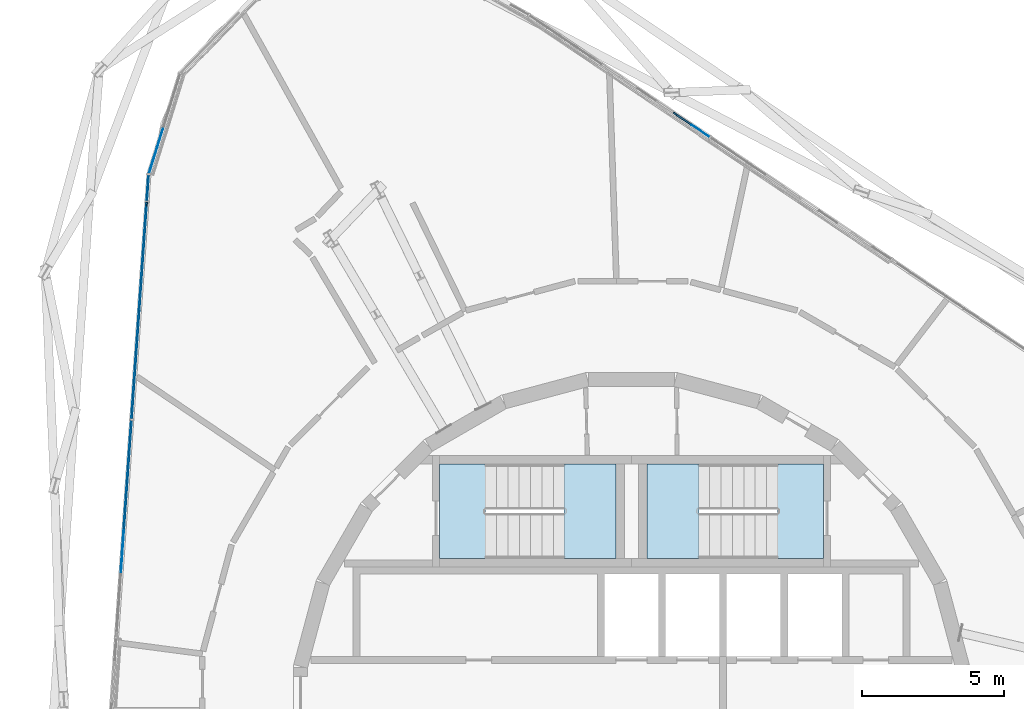
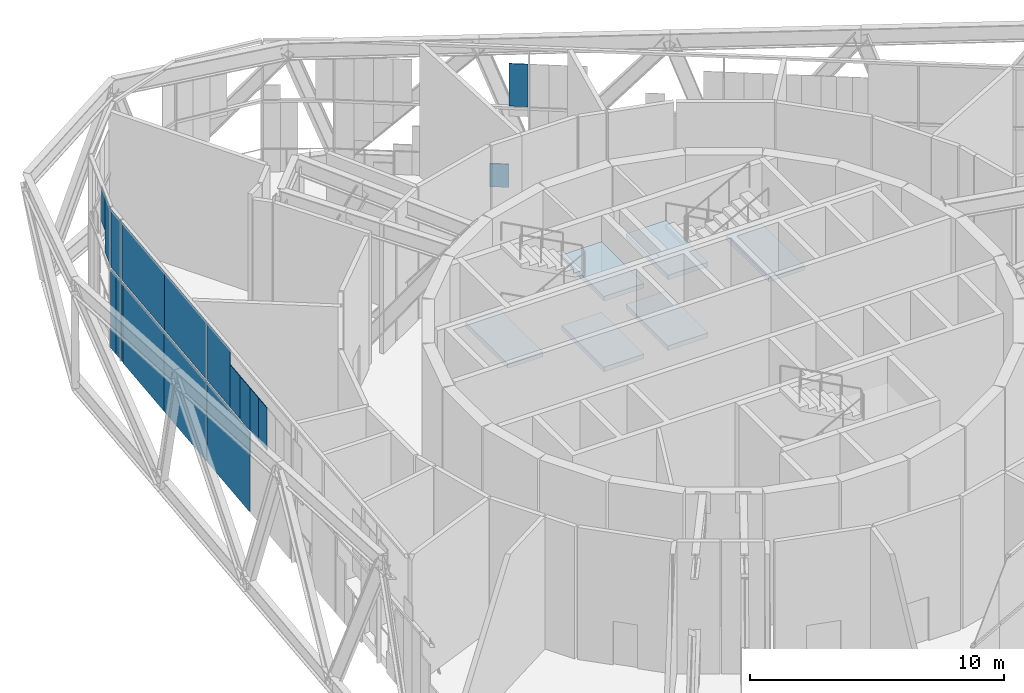
# One storey, part 13 of 24: 18 plates, 6 slabs, 5 elements without a shape of their own.
"""IFC4 building model written with IfcOpenShell, lengths in metres."""

from ifc_helpers import new_model, si_unit, direction, frame, origin, origin_2d, place, context, subcontext, project, spatial, polyline, rectangle, outline, extrude, material, layer, layer_set, type_object, element, aggregate, save


model = new_model("IFC4")

# Units and contexts
model_context = context("Model", 3, precision=1e-05, world=origin(), true_north=direction((0.0, 1.0)))
body_context = subcontext(model_context, "Body", "Model", "MODEL_VIEW")
ifc_project = project(units=[si_unit("LENGTHUNIT", "METRE"), si_unit("AREAUNIT", "SQUARE_METRE"), si_unit("VOLUMEUNIT", "CUBIC_METRE"), si_unit("PLANEANGLEUNIT", "RADIAN"), si_unit("MASSUNIT", "GRAM", prefix="KILO")], contexts=[model_context])

# Site, building, storey
site_placement = place(None, origin())
site = spatial("IfcSite", under=ifc_project, at=site_placement, CompositionType="ELEMENT")
building_placement = place(site_placement, origin())
building = spatial("IfcBuilding", under=site, at=building_placement, Name="Spindle Arch Residences", CompositionType="ELEMENT")
storey_placement = place(building_placement, frame((0.0, 0.0, 219.89990234375)))
storey = spatial("IfcBuildingStorey", under=building, at=storey_placement, Name="L56", CompositionType="ELEMENT", Elevation=219.89990234375)

# Stair, slabs
ifc_material_1 = material(Name="Concrete C50/60", Category="concrete")
stair_type = type_object("IfcStairType", Name="Exit stair 32 risers", PredefinedType="HALF_TURN_STAIR", material=ifc_material_1)
stair_1_placement = place(storey_placement, origin())
stair_1 = element("IfcStair", 1, at=stair_1_placement, inside=storey, type_object=stair_type, Name="L56 Exit stair ST1", PredefinedType="HALF_TURN_STAIR")
ifc_material_2 = material(Name="Concrete C50/60", Category="concrete")
ifc_layer_1 = layer(ifc_material_2, 0.219970703125)
ifc_layer_set_1 = layer_set([ifc_layer_1], Name="Exit stair landing 220")
slab_type = type_object("IfcSlabType", Name="Exit stair landing 220", PredefinedType="LANDING", material=ifc_layer_set_1)
slab_1_placement = place(storey_placement, frame((0.0, 0.0, 1.47998046875)))
slab_1 = element("IfcSlab", 2, at=slab_1_placement, type_object=slab_type, Name="ST1 landing 1", PredefinedType="LANDING", context=body_context, shape_type="SweptSolid", body=[
    extrude(outline(polyline([(2.3701171875, 8.669921875), (0.550048828125, 8.669921875), (0.550048828125, 5.35009765625), (2.3701171875, 5.35009765625), (2.3701171875, 8.669921875)])), origin(), (0.0, 0.0, 1.0), 0.22021484375),
])
slab_2_placement = place(storey_placement, frame((0.0, 0.0, 3.18017578125)))
slab_2 = element("IfcSlab", 3, at=slab_2_placement, type_object=slab_type, Name="ST1 landing 2", PredefinedType="LANDING", context=body_context, shape_type="SweptSolid", body=[
    extrude(outline(polyline([(6.75, 8.669921875), (5.1298828125, 8.669921875), (5.1298828125, 5.35009765625), (6.75, 5.35009765625), (6.75, 8.669921875)])), origin(), (0.0, 0.0, 1.0), 0.219970703125),
])
slab_3_placement = place(storey_placement, frame((0.0, 0.0, 4.880126953125)))
slab_3 = element("IfcSlab", 4, at=slab_3_placement, type_object=slab_type, Name="ST1 landing 3", PredefinedType="LANDING", context=body_context, shape_type="SweptSolid", body=[
    extrude(outline(polyline([(2.3701171875, 8.669921875), (0.550048828125, 8.669921875), (0.550048828125, 5.35009765625), (2.3701171875, 5.35009765625), (2.3701171875, 8.669921875)])), origin(), (0.0, 0.0, 1.0), 0.219970703125),
])
aggregate(stair_1, [slab_1, slab_2, slab_3])

stair_2_placement = place(storey_placement, origin())
stair_2 = element("IfcStair", 5, at=stair_2_placement, inside=storey, type_object=stair_type, Name="L56 Exit stair ST2", PredefinedType="HALF_TURN_STAIR")
slab_4_placement = place(storey_placement, frame((0.0, 0.0, 1.47998046875)))
slab_4 = element("IfcSlab", 6, at=slab_4_placement, type_object=slab_type, Name="ST2 landing 1", PredefinedType="LANDING", context=body_context, shape_type="SweptSolid", body=[
    extrude(outline(polyline([(-2.3701171875, 5.35009765625), (-0.550048828125, 5.35009765625), (-0.550048828125, 8.669921875), (-2.3701171875, 8.669921875), (-2.3701171875, 5.35009765625)])), origin(), (0.0, 0.0, 1.0), 0.22021484375),
])
slab_5_placement = place(storey_placement, frame((0.0, 0.0, 3.18017578125)))
slab_5 = element("IfcSlab", 7, at=slab_5_placement, type_object=slab_type, Name="ST2 landing 2", PredefinedType="LANDING", context=body_context, shape_type="SweptSolid", body=[
    extrude(outline(polyline([(-6.75, 5.35009765625), (-5.1298828125, 5.35009765625), (-5.1298828125, 8.669921875), (-6.75, 8.669921875), (-6.75, 5.35009765625)])), origin(), (0.0, 0.0, 1.0), 0.219970703125),
])
slab_6_placement = place(storey_placement, frame((0.0, 0.0, 4.880126953125)))
slab_6 = element("IfcSlab", 8, at=slab_6_placement, type_object=slab_type, Name="ST2 landing 3", PredefinedType="LANDING", context=body_context, shape_type="SweptSolid", body=[
    extrude(outline(polyline([(-2.3701171875, 5.35009765625), (-0.550048828125, 5.35009765625), (-0.550048828125, 8.669921875), (-2.3701171875, 8.669921875), (-2.3701171875, 5.35009765625)])), origin(), (0.0, 0.0, 1.0), 0.219970703125),
])
aggregate(stair_2, [slab_4, slab_5, slab_6])

# Curtain wall, plate
ifc_material_3 = material(Name="Aluminium bronze unitised frame with tinted glass", Category="aluminium")
ifc_layer_2 = layer(ifc_material_3, 0.159912109375)
ifc_layer_set_2 = layer_set([ifc_layer_2], Name="CW-E double-height winter garden wall")
curtain_wall_type = type_object("IfcCurtainWallType", Name="CW-E double-height winter garden wall", PredefinedType="NOTDEFINED", material=ifc_layer_set_2)
curtain_wall_1_placement = place(storey_placement, origin())
curtain_wall_1 = element("IfcCurtainWall", 9, at=curtain_wall_1_placement, inside=storey, type_object=curtain_wall_type, Name="CW-E L56 run 2", PredefinedType="NOTDEFINED")
ifc_material_4 = material(Name="Tinted laminated glass 28 mm", Category="glass")
ifc_layer_3 = layer(ifc_material_4, 0.028076171875)
ifc_layer_set_3 = layer_set([ifc_layer_3], Name="Tinted glass panel 28 mm")
plate_type_1 = type_object("IfcPlateType", Name="Tinted glass panel 28 mm", PredefinedType="CURTAIN_PANEL", material=ifc_layer_set_3)
plate_1_placement = place(storey_placement, frame((2.428466796875, 20.388427734375, 3.460205078125), z_axis=(0.0, 0.0, 1.0), x_axis=(-0.829037572555, 0.559192903471, 0.0)))
plate_1 = element("IfcPlate", 10, at=plate_1_placement, type_object=plate_type_1, Name="CW-E panel 08Ab.1", PredefinedType="CURTAIN_PANEL", context=body_context, shape_type="SweptSolid", body=[
    extrude(rectangle(XDim=0.763427734375, YDim=0.028076171875, at=origin_2d()), origin(), (0.0, 0.0, 1.0), 2.0458984375),
])

# Curtain wall, plates
curtain_wall_2_placement = place(storey_placement, origin())
curtain_wall_2 = element("IfcCurtainWall", 11, at=curtain_wall_2_placement, inside=storey, type_object=curtain_wall_type, Name="CW-E L56 run 3", PredefinedType="NOTDEFINED")
plate_2_placement = place(storey_placement, frame((-16.5888671875, 20.1376953125, 4.503662109375), z_axis=(0.0, 0.0, 1.0), x_axis=(-0.297930275218, -0.954587634064, 0.0)))
plate_2 = element("IfcPlate", 12, at=plate_2_placement, type_object=plate_type_1, Name="CW-E panel 04b.4", PredefinedType="CURTAIN_PANEL", context=body_context, shape_type="SweptSolid", body=[
    extrude(rectangle(XDim=0.675048828125, YDim=0.028076171875, at=origin_2d()), origin(), (0.0, 0.0, 1.0), 1.7265625),
])
plate_3_placement = place(storey_placement, frame((-16.833251953125, 19.354248046875, 3.460205078125), z_axis=(0.0, 0.0, 1.0), x_axis=(-0.297930275218, -0.954587634064, 0.0)))
plate_3 = element("IfcPlate", 13, at=plate_3_placement, type_object=plate_type_1, Name="CW-E panel 04b.5", PredefinedType="CURTAIN_PANEL", context=body_context, shape_type="SweptSolid", body=[
    extrude(rectangle(XDim=0.96630859375, YDim=0.028076171875, at=origin_2d()), origin(), (0.0, 0.0, 1.0), 2.77001953125),
])
plate_4_placement = place(storey_placement, frame((-17.019775390625, 18.3837890625, 3.460205078125), z_axis=(0.0, 0.0, 1.0), x_axis=(-0.069756473744, -0.99756405026, 0.0)))
plate_4 = element("IfcPlate", 14, at=plate_4_placement, type_object=plate_type_1, Name="CW-E unit 05b", PredefinedType="CURTAIN_PANEL", context=body_context, shape_type="SweptSolid", body=[
    extrude(rectangle(XDim=0.90380859375, YDim=0.028076171875, at=origin_2d()), origin(), (0.0, 0.0, 1.0), 2.77001953125),
])

curtain_wall_3_placement = place(storey_placement, origin())
curtain_wall_3 = element("IfcCurtainWall", 15, at=curtain_wall_3_placement, inside=storey, type_object=curtain_wall_type, Name="CW-E L56 run 4", PredefinedType="NOTDEFINED")
plate_5_placement = place(storey_placement, frame((-17.188720703125, 15.96923828125, 3.460205078125), z_axis=(0.0, 0.0, 1.0), x_axis=(-0.069756473744, -0.99756405026, 0.0)))
plate_5 = element("IfcPlate", 16, at=plate_5_placement, type_object=plate_type_1, Name="CW-E unit 12Ab", PredefinedType="CURTAIN_PANEL", context=body_context, shape_type="SweptSolid", body=[
    extrude(rectangle(XDim=3.81689453125, YDim=0.028076171875, at=origin_2d()), origin(), (0.0, 0.0, 1.0), 2.77001953125),
])
plate_6_placement = place(storey_placement, frame((-17.454833984375, 12.16162109375, 3.460205078125), z_axis=(0.0, 0.0, 1.0), x_axis=(-0.069756473744, -0.99756405026, 0.0)))
plate_6 = element("IfcPlate", 17, at=plate_6_placement, type_object=plate_type_1, Name="CW-E unit 12Bb", PredefinedType="CURTAIN_PANEL", context=body_context, shape_type="SweptSolid", body=[
    extrude(rectangle(XDim=3.81689453125, YDim=0.028076171875, at=origin_2d()), origin(), (0.0, 0.0, 1.0), 2.77001953125),
])
plate_7_placement = place(storey_placement, frame((-17.663330078125, 9.181884765625, 3.460205078125), z_axis=(0.0, 0.0, 1.0), x_axis=(-0.069756473744, -0.99756405026, 0.0)))
plate_7 = element("IfcPlate", 18, at=plate_7_placement, type_object=plate_type_1, Name="CW-E panel 13Ab.1", PredefinedType="CURTAIN_PANEL", context=body_context, shape_type="SweptSolid", body=[
    extrude(rectangle(XDim=2.037109375, YDim=0.028076171875, at=origin_2d()), origin(), (0.0, 0.0, 1.0), 2.77001953125),
])
plate_8_placement = place(storey_placement, frame((-17.765380859375, 7.72216796875, 3.460205078125), z_axis=(0.0, 0.0, 1.0), x_axis=(-0.069756473744, -0.99756405026, 0.0)))
plate_8 = element("IfcPlate", 19, at=plate_8_placement, type_object=plate_type_1, Name="CW-E panel 13Ab.2", PredefinedType="CURTAIN_PANEL", context=body_context, shape_type="SweptSolid", body=[
    extrude(rectangle(XDim=0.889892578125, YDim=0.028076171875, at=origin_2d()), origin(), (0.0, 0.0, 1.0), 2.0458984375),
])
plate_9_placement = place(storey_placement, frame((-17.827392578125, 6.834228515625, 3.460205078125), z_axis=(0.0, 0.0, 1.0), x_axis=(-0.069756473744, -0.99756405026, 0.0)))
plate_9 = element("IfcPlate", 20, at=plate_9_placement, type_object=plate_type_1, Name="CW-E panel 13Ab.3", PredefinedType="CURTAIN_PANEL", context=body_context, shape_type="SweptSolid", body=[
    extrude(rectangle(XDim=0.889892578125, YDim=0.028076171875, at=origin_2d()), origin(), (0.0, 0.0, 1.0), 2.0458984375),
])
plate_10_placement = place(storey_placement, frame((-17.885009765625, 6.009765625, 3.460205078125), z_axis=(0.0, 0.0, 1.0), x_axis=(-0.069756473744, -0.99756405026, 0.0)))
plate_10 = element("IfcPlate", 21, at=plate_10_placement, type_object=plate_type_1, Name="CW-E panel 13Bb.1", PredefinedType="CURTAIN_PANEL", context=body_context, shape_type="SweptSolid", body=[
    extrude(rectangle(XDim=0.763427734375, YDim=0.028076171875, at=origin_2d()), origin(), (0.0, 0.0, 1.0), 2.0458984375),
])
plate_11_placement = place(storey_placement, frame((-17.9384765625, 5.248291015625, 3.460205078125), z_axis=(0.0, 0.0, 1.0), x_axis=(-0.069756473744, -0.99756405026, 0.0)))
plate_11 = element("IfcPlate", 22, at=plate_11_placement, type_object=plate_type_1, Name="CW-E panel 13Bb.2", PredefinedType="CURTAIN_PANEL", context=body_context, shape_type="SweptSolid", body=[
    extrude(rectangle(XDim=0.763427734375, YDim=0.028076171875, at=origin_2d()), origin(), (0.0, 0.0, 1.0), 2.0458984375),
])

# Plate
ifc_material_5 = material(Name="Tinted double glazing over aluminium faced non-combustible spandrel zone (K0)", Category="aluminium")
ifc_layer_4 = layer(ifc_material_5, 0.06005859375)
ifc_layer_set_4 = layer_set([ifc_layer_4], Name="Unitised glass panel with E 60 spandrel zone")
plate_type_2 = type_object("IfcPlateType", Name="Unitised glass panel with E 60 spandrel zone", PredefinedType="CURTAIN_PANEL", material=ifc_layer_set_4)
plate_12_placement = place(storey_placement, frame((1.795654296875, 20.815185546875, -0.44970703125), z_axis=(0.0, 0.0, 1.0), x_axis=(-0.829037572555, 0.559192903471, 0.0)))
plate_12 = element("IfcPlate", 23, at=plate_12_placement, type_object=plate_type_2, Name="CW-E panel 08Aa.2", PredefinedType="CURTAIN_PANEL", context=body_context, shape_type="SweptSolid", body=[
    extrude(rectangle(XDim=0.763427734375, YDim=0.06005859375, at=origin_2d()), origin(), (0.0, 0.0, 1.0), 1.113525390625),
])

aggregate(curtain_wall_1, [plate_12, plate_1])

plate_13_placement = place(storey_placement, frame((-17.004150390625, 18.609130859375, -0.419921875), z_axis=(0.0, 0.0, 1.0), x_axis=(-0.069756473744, -0.99756405026, 0.0)))
plate_13 = element("IfcPlate", 24, at=plate_13_placement, type_object=plate_type_2, Name="CW-E panel 05a.1", PredefinedType="CURTAIN_PANEL", context=body_context, shape_type="SweptSolid", body=[
    extrude(rectangle(XDim=0.451904296875, YDim=0.06005859375, at=origin_2d()), origin(), (0.0, 0.0, 1.0), 3.760009765625),
])

plate_14_placement = place(storey_placement, frame((-17.03564453125, 18.158203125, -0.419921875), z_axis=(0.0, 0.0, 1.0), x_axis=(-0.069756473744, -0.99756405026, 0.0)))
plate_14 = element("IfcPlate", 25, at=plate_14_placement, type_object=plate_type_2, Name="CW-E panel 05a.2", PredefinedType="CURTAIN_PANEL", context=body_context, shape_type="SweptSolid", body=[
    extrude(rectangle(XDim=0.451904296875, YDim=0.06005859375, at=origin_2d()), origin(), (0.0, 0.0, 1.0), 3.760009765625),
])

aggregate(curtain_wall_2, [plate_2, plate_3, plate_13, plate_14, plate_4])

plate_15_placement = place(storey_placement, frame((-17.06005859375, 17.80908203125, -0.42138671875), z_axis=(0.0, 0.0, 1.0), x_axis=(-0.069756473744, -0.99756405026, 0.0)))
plate_15 = element("IfcPlate", 26, at=plate_15_placement, type_object=plate_type_2, Name="CW-E panel 12Aa.1", PredefinedType="CURTAIN_PANEL", context=body_context, shape_type="SweptSolid", body=[
    extrude(rectangle(XDim=0.128173828125, YDim=0.06005859375, at=origin_2d()), origin(), (0.0, 0.0, 1.0), 3.761474609375),
])

plate_16_placement = place(storey_placement, frame((-17.193115234375, 15.9052734375, -0.449951171875), z_axis=(0.0, 0.0, 1.0), x_axis=(-0.069756473744, -0.99756405026, 0.0)))
plate_16 = element("IfcPlate", 27, at=plate_16_placement, type_object=plate_type_2, Name="CW-E panel 12Aa.2", PredefinedType="CURTAIN_PANEL", context=body_context, shape_type="SweptSolid", body=[
    extrude(rectangle(XDim=3.688720703125, YDim=0.06005859375, at=origin_2d()), origin(), (0.0, 0.0, 1.0), 3.7900390625),
])

plate_17_placement = place(storey_placement, frame((-17.454833984375, 12.16162109375, -0.449951171875), z_axis=(0.0, 0.0, 1.0), x_axis=(-0.069756473744, -0.99756405026, 0.0)))
plate_17 = element("IfcPlate", 28, at=plate_17_placement, type_object=plate_type_2, Name="CW-E unit 12Ba", PredefinedType="CURTAIN_PANEL", context=body_context, shape_type="SweptSolid", body=[
    extrude(rectangle(XDim=3.81689453125, YDim=0.06005859375, at=origin_2d()), origin(), (0.0, 0.0, 1.0), 3.7900390625),
])

plate_18_placement = place(storey_placement, frame((-17.725341796875, 8.294189453125, -0.449951171875), z_axis=(0.0, 0.0, 1.0), x_axis=(-0.069756473744, -0.99756405026, 0.0)))
plate_18 = element("IfcPlate", 29, at=plate_18_placement, type_object=plate_type_2, Name="CW-E unit 13Aa", PredefinedType="CURTAIN_PANEL", context=body_context, shape_type="SweptSolid", body=[
    extrude(rectangle(XDim=3.81689453125, YDim=0.06005859375, at=origin_2d()), origin(), (0.0, 0.0, 1.0), 3.7900390625),
])

aggregate(curtain_wall_3, [plate_15, plate_16, plate_5, plate_17, plate_6, plate_18, plate_7, plate_8, plate_9, plate_10, plate_11])

save(model, "model.ifc")
